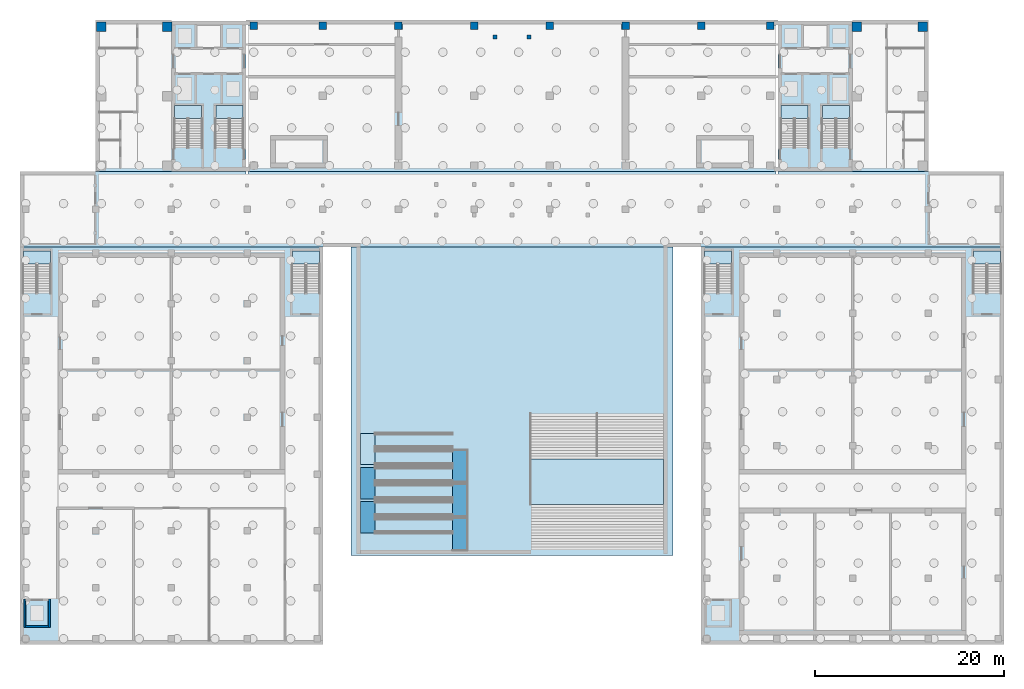
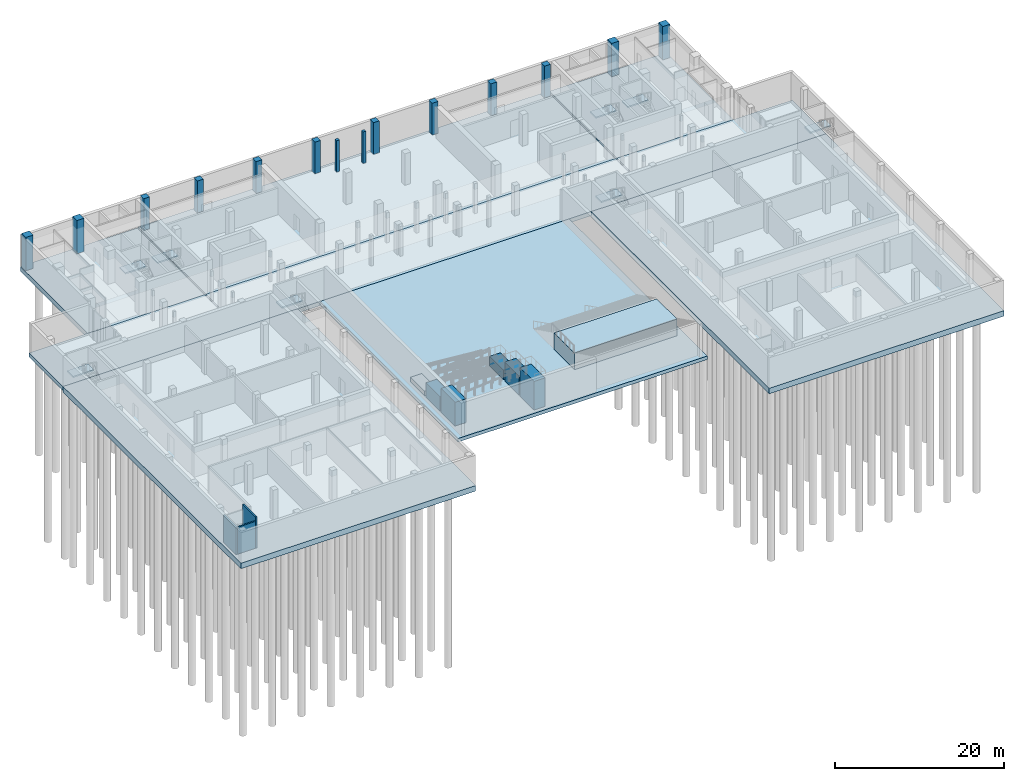
# One storey, part 5 of 21: 22 slabs, 14 columns, 3 walls, 9 elements without a shape of their own.
"""IFC4 building model written with IfcOpenShell, lengths in metres."""

from ifc_helpers import new_model, si_unit, direction, frame, frame_2d, origin, origin_2d, place, context, subcontext, project, spatial, polyline, rectangle, outline, extrude, material, layer, layer_set, material_profile, profile_set, type_object, element, aggregate, save


model = new_model("IFC4")

# Units and contexts
model_context = context("Model", 3, precision=1e-05, world=origin(), true_north=direction((0.0, 1.0)))
body_context = subcontext(model_context, "Body", "Model", "MODEL_VIEW")
ifc_project = project(units=[si_unit("LENGTHUNIT", "METRE"), si_unit("AREAUNIT", "SQUARE_METRE"), si_unit("VOLUMEUNIT", "CUBIC_METRE"), si_unit("PLANEANGLEUNIT", "RADIAN"), si_unit("MASSUNIT", "GRAM", prefix="KILO")], contexts=[model_context])

# Site, building, storey
site_placement = place(None, origin())
site = spatial("IfcSite", under=ifc_project, at=site_placement, CompositionType="ELEMENT")
building_placement = place(site_placement, origin())
building = spatial("IfcBuilding", under=site, at=building_placement, Name="Lantern Court Media Centre", CompositionType="ELEMENT")
storey_placement = place(building_placement, frame((0.0, 0.0, -4.800048828125)))
storey = spatial("IfcBuildingStorey", under=building, at=storey_placement, Name="B1", CompositionType="ELEMENT", Elevation=-4.800048828125)

# Columns
ifc_material_1 = material(Name="Concrete C35", Category="concrete")
ifc_material_profile_1 = material_profile(ifc_material_1, rectangle(XDim=0.39990234375, YDim=0.39990234375, at=origin_2d()), Name="RC 400x400")
ifc_profile_set_1 = profile_set([ifc_material_profile_1], Name="Concrete C35")
column_type_1 = type_object("IfcColumnType", Name="Entrance canopy post pedestal RC 400x400", PredefinedType="COLUMN", material=ifc_profile_set_1)
for number, where, z_axis, x_axis, name in (
    (1, (50.199951171875, 62.199951171875, 0.0), (0.0, 0.0, 1.0), (1.0, 0.0, 0.0), "Court bridge bearing pier 1 pedestal"),
    (2, (53.800048828125, 62.199951171875, 0.0), (0.0, 0.0, 1.0), (1.0, 0.0, 0.0), "Court bridge bearing pier 2 pedestal"),
):
    element("IfcColumn", number, at=place(storey_placement, frame(where, z_axis=z_axis, x_axis=x_axis)), inside=storey, type_object=column_type_1, Name=name, PredefinedType="COLUMN", context=body_context, shape_type="SweptSolid", body=[
        extrude(rectangle(XDim=0.39990234375, YDim=0.39990234375, at=origin_2d()), origin(), (0.0, 0.0, 1.0), 4.550048828125),
    ])
ifc_material_profile_2 = material_profile(ifc_material_1, rectangle(XDim=1.0, YDim=1.0, at=origin_2d()), Name="RC 1000x1000")
ifc_profile_set_2 = profile_set([ifc_material_profile_2], Name="Concrete C35")
column_type_2 = type_object("IfcColumnType", Name="RC COLUMN 1000x1000", PredefinedType="COLUMN", material=ifc_profile_set_2)
for number, where, z_axis, x_axis, name in (
    (3, (8.60009765625, 63.300048828125, 0.0), (0.0, 0.0, 1.0), (1.0, 0.0, 0.0), "C-SW-2-B1"),
    (4, (15.550048828125, 63.300048828125, 0.0), (0.0, 0.0, 1.0), (1.0, 0.0, 0.0), "C-SW-5-B1"),
    (5, (88.449951171875, 63.300048828125, 0.0), (0.0, 0.0, 1.0), (1.0, 0.0, 0.0), "C-SE-2-B1"),
    (6, (95.39990234375, 63.300048828125, 0.0), (0.0, 0.0, 1.0), (1.0, 0.0, 0.0), "C-SE-5-B1"),
):
    element("IfcColumn", number, at=place(storey_placement, frame(where, z_axis=z_axis, x_axis=x_axis)), inside=storey, type_object=column_type_2, Name=name, PredefinedType="COLUMN", context=body_context, shape_type="SweptSolid", body=[
        extrude(rectangle(XDim=1.0, YDim=1.0, at=origin_2d()), origin(), (0.0, 0.0, 1.0), 4.800048828125),
    ])
ifc_material_profile_3 = material_profile(ifc_material_1, rectangle(XDim=0.800048828125, YDim=0.800048828125, at=origin_2d()), Name="RC 800x800")
ifc_profile_set_3 = profile_set([ifc_material_profile_3], Name="Concrete C35")
column_type_3 = type_object("IfcColumnType", Name="RC COLUMN 800x800", PredefinedType="COLUMN", material=ifc_profile_set_3)
for number, where, z_axis, x_axis, name in (
    (7, (24.699951171875, 63.39990234375, 0.0), (0.0, 0.0, 1.0), (1.0, 0.0, 0.0), "C-S-2-0-B1"),
    (8, (32.0, 63.39990234375, 0.0), (0.0, 0.0, 1.0), (1.0, 0.0, 0.0), "C-S-2-1-B1"),
    (9, (40.0, 63.39990234375, 0.0), (0.0, 0.0, 1.0), (1.0, 0.0, 0.0), "C-S-2-2-B1"),
    (10, (48.0, 63.39990234375, 0.0), (0.0, 0.0, 1.0), (1.0, 0.0, 0.0), "C-S-2-3-B1"),
    (11, (56.0, 63.39990234375, 0.0), (0.0, 0.0, 1.0), (1.0, 0.0, 0.0), "C-S-2-4-B1"),
    (12, (64.0, 63.39990234375, 0.0), (0.0, 0.0, 1.0), (1.0, 0.0, 0.0), "C-S-2-5-B1"),
    (13, (72.0, 63.39990234375, 0.0), (0.0, 0.0, 1.0), (1.0, 0.0, 0.0), "C-S-2-6-B1"),
    (14, (79.300048828125, 63.39990234375, 0.0), (0.0, 0.0, 1.0), (1.0, 0.0, 0.0), "C-S-2-7-B1"),
):
    element("IfcColumn", number, at=place(storey_placement, frame(where, z_axis=z_axis, x_axis=x_axis)), inside=storey, type_object=column_type_3, Name=name, PredefinedType="COLUMN", context=body_context, shape_type="SweptSolid", body=[
        extrude(rectangle(XDim=0.800048828125, YDim=0.800048828125, at=origin_2d()), origin(), (0.0, 0.0, 1.0), 4.580078125),
    ])

# Stair, slab
ifc_material_2 = material(Name="Reinforced stone steps, Concrete C35", Category="masonry")
stair_type_1 = type_object("IfcStairType", Name="Forecourt amphitheatre steps", PredefinedType="NOTDEFINED", material=ifc_material_2)
stair_1_placement = place(storey_placement, origin())
stair_1 = element("IfcStair", 15, at=stair_1_placement, inside=storey, type_object=stair_type_1, Name="Forecourt amphitheatre steps", PredefinedType="NOTDEFINED")
ifc_layer_1 = layer(ifc_material_1, 0.25)
ifc_layer_set_1 = layer_set([ifc_layer_1], Name="Concrete C35")
slab_type_1 = type_object("IfcSlabType", Name="Forecourt landing", PredefinedType="LANDING", material=ifc_layer_set_1)
slab_1_placement = place(storey_placement, origin())
slab_1 = element("IfcSlab", 16, at=slab_1_placement, type_object=slab_type_1, Name="Forecourt steps landing", PredefinedType="LANDING", context=body_context, shape_type="SweptSolid", body=[
    extrude(outline(polyline([(54.0, 12.800048828125), (68.0, 12.800048828125), (68.0, 17.60009765625), (54.0, 17.60009765625), (54.0, 12.800048828125)])), origin(), (0.0, 0.0, 1.0), 2.400146484375),
])
aggregate(stair_1, [slab_1])

# Slabs
slab_2_placement = place(storey_placement, origin())
element("IfcSlab", 17, at=slab_2_placement, inside=storey, type_object=slab_type_1, Name="Ramp landing L1", PredefinedType="LANDING", context=body_context, shape_type="SweptSolid", body=[
    extrude(outline(polyline([(45.728515625, 8.0), (47.228515625, 8.0), (47.228515625, 11.300048828125), (45.728515625, 11.300048828125), (45.728515625, 8.0)])), origin(), (0.0, 0.0, 1.0), 4.1142578125),
])
slab_3_placement = place(storey_placement, origin())
element("IfcSlab", 18, at=slab_3_placement, inside=storey, type_object=slab_type_1, Name="Ramp landing L2", PredefinedType="LANDING", context=body_context, shape_type="SweptSolid", body=[
    extrude(outline(polyline([(36.0, 9.800048828125), (37.5, 9.800048828125), (37.5, 13.10009765625), (36.0, 13.10009765625), (36.0, 9.800048828125)])), origin(), (0.0, 0.0, 1.0), 3.4287109375),
])
slab_4_placement = place(storey_placement, origin())
element("IfcSlab", 19, at=slab_4_placement, inside=storey, type_object=slab_type_1, Name="Ramp landing L3", PredefinedType="LANDING", context=body_context, shape_type="SweptSolid", body=[
    extrude(outline(polyline([(45.728515625, 11.60009765625), (47.228515625, 11.60009765625), (47.228515625, 14.89990234375), (45.728515625, 14.89990234375), (45.728515625, 11.60009765625)])), origin(), (0.0, 0.0, 1.0), 2.742919921875),
])
slab_5_placement = place(storey_placement, origin())
element("IfcSlab", 20, at=slab_5_placement, inside=storey, type_object=slab_type_1, Name="Ramp landing L4", PredefinedType="LANDING", context=body_context, shape_type="SweptSolid", body=[
    extrude(outline(polyline([(36.0, 13.39990234375), (37.5, 13.39990234375), (37.5, 16.699951171875), (36.0, 16.699951171875), (36.0, 13.39990234375)])), origin(), (0.0, 0.0, 1.0), 2.05712890625),
])
slab_6_placement = place(storey_placement, origin())
element("IfcSlab", 21, at=slab_6_placement, inside=storey, type_object=slab_type_1, Name="Ramp landing L5", PredefinedType="LANDING", context=body_context, shape_type="SweptSolid", body=[
    extrude(outline(polyline([(45.728515625, 15.199951171875), (47.228515625, 15.199951171875), (47.228515625, 18.5), (45.728515625, 18.5), (45.728515625, 15.199951171875)])), origin(), (0.0, 0.0, 1.0), 1.371337890625),
])
slab_7_placement = place(storey_placement, origin())
element("IfcSlab", 22, at=slab_7_placement, inside=storey, type_object=slab_type_1, Name="Ramp landing L6", PredefinedType="LANDING", context=body_context, shape_type="SweptSolid", body=[
    extrude(outline(polyline([(36.0, 17.0), (37.5, 17.0), (37.5, 20.300048828125), (36.0, 20.300048828125), (36.0, 17.0)])), origin(), (0.0, 0.0, 1.0), 0.685791015625),
])
ifc_material_3 = material(Name="Concrete C30", Category="concrete")
ifc_layer_2 = layer(ifc_material_3, 0.5)
ifc_layer_set_2 = layer_set([ifc_layer_2], Name="Concrete C30")
slab_type_2 = type_object("IfcSlabType", Name="RC RAFT SLAB 500", PredefinedType="BASESLAB", material=ifc_layer_set_2)
slab_8_placement = place(storey_placement, frame((0.0, 0.0, -0.5)))
element("IfcSlab", 23, at=slab_8_placement, inside=storey, type_object=slab_type_2, Name="SL-FORECOURT-B1", PredefinedType="BASESLAB", context=body_context, shape_type="SweptSolid", body=[
    extrude(outline(polyline([(69.0, 7.39990234375), (69.0, 40.0), (35.0, 40.0), (35.0, 7.39990234375), (69.0, 7.39990234375)])), origin(), (0.0, 0.0, 1.0), 0.5),
])
ifc_layer_3 = layer(ifc_material_3, 0.60009765625)
ifc_layer_set_3 = layer_set([ifc_layer_3], Name="Concrete C30")
slab_type_3 = type_object("IfcSlabType", Name="RC RAFT SLAB 600", PredefinedType="BASESLAB", material=ifc_layer_set_3)
slab_9_placement = place(storey_placement, frame((0.0, 0.0, -0.599853515625)))
element("IfcSlab", 24, at=slab_9_placement, inside=storey, type_object=slab_type_3, Name="SL-B1-RAFT-3", PredefinedType="BASESLAB", context=body_context, shape_type="SweptSolid", body=[
    extrude(outline(polyline([(104.0, 48.0), (104.0, 40.0), (0.0, 40.0), (0.0, 48.0), (23.89990234375, 48.0), (23.89990234375, 45.0), (24.10009765625, 45.0), (24.10009765625, 48.0), (79.89990234375, 48.0), (79.89990234375, 45.0), (80.10009765625, 45.0), (80.10009765625, 48.0), (104.0, 48.0)])), origin(), (0.0, 0.0, 1.0), 0.599853515625),
])
ifc_layer_4 = layer(ifc_material_3, 0.699951171875)
ifc_layer_set_4 = layer_set([ifc_layer_4], Name="Concrete C30")
slab_type_4 = type_object("IfcSlabType", Name="RC RAFT SLAB 700", PredefinedType="BASESLAB", material=ifc_layer_set_4)
slab_10_placement = place(storey_placement, frame((0.0, 0.0, -0.699951171875)))
element("IfcSlab", 25, at=slab_10_placement, inside=storey, type_object=slab_type_4, Name="SL-B1-RAFT-4", PredefinedType="BASESLAB", context=body_context, shape_type="SweptSolid", body=[
    extrude(outline(polyline([(8.0, 48.0), (8.0, 63.89990234375), (23.89990234375, 63.89990234375), (23.89990234375, 48.0), (8.0, 48.0)])), origin(), (0.0, 0.0, 1.0), 0.699951171875),
])
slab_11_placement = place(storey_placement, frame((0.0, 0.0, -0.699951171875)))
element("IfcSlab", 26, at=slab_11_placement, inside=storey, type_object=slab_type_4, Name="SL-B1-RAFT-4-2", PredefinedType="BASESLAB", context=body_context, shape_type="SweptSolid", body=[
    extrude(outline(polyline([(79.89990234375, 64.0), (79.89990234375, 48.0), (24.10009765625, 48.0), (24.10009765625, 64.0), (79.89990234375, 64.0)])), origin(), (0.0, 0.0, 1.0), 0.699951171875),
])
slab_12_placement = place(storey_placement, frame((0.0, 0.0, -0.699951171875)))
element("IfcSlab", 27, at=slab_12_placement, inside=storey, type_object=slab_type_4, Name="SL-B1-RAFT-4-3", PredefinedType="BASESLAB", context=body_context, shape_type="SweptSolid", body=[
    extrude(outline(polyline([(96.0, 48.0), (80.10009765625, 48.0), (80.10009765625, 63.89990234375), (96.0, 63.89990234375), (96.0, 48.0)])), origin(), (0.0, 0.0, 1.0), 0.699951171875),
])
ifc_layer_5 = layer(ifc_material_3, 0.800048828125)
ifc_layer_set_5 = layer_set([ifc_layer_5], Name="Concrete C30")
slab_type_5 = type_object("IfcSlabType", Name="RC RAFT SLAB 800", PredefinedType="BASESLAB", material=ifc_layer_set_5)
slab_13_placement = place(storey_placement, frame((0.0, 0.0, -0.800048828125)))
element("IfcSlab", 28, at=slab_13_placement, inside=storey, type_object=slab_type_5, Name="SL-B1-RAFT-1", PredefinedType="BASESLAB", context=body_context, shape_type="SweptSolid", body=[
    extrude(outline(polyline([(0.0, -2.0), (0.0, 40.0), (32.0, 40.0), (32.0, -2.0), (0.0, -2.0)])), origin(), (0.0, 0.0, 1.0), 0.800048828125),
])
slab_14_placement = place(storey_placement, frame((0.0, 0.0, -0.800048828125)))
element("IfcSlab", 29, at=slab_14_placement, inside=storey, type_object=slab_type_5, Name="SL-B1-RAFT-2", PredefinedType="BASESLAB", context=body_context, shape_type="SweptSolid", body=[
    extrude(outline(polyline([(72.0, -2.0), (72.0, 40.0), (104.0, 40.0), (104.0, -2.0), (72.0, -2.0)])), origin(), (0.0, 0.0, 1.0), 0.800048828125),
])

# Stair, slab
ifc_material_4 = material(Name="Concrete C40", Category="concrete")
stair_type_2 = type_object("IfcStairType", Name="Exit stair 1350", PredefinedType="HALF_TURN_STAIR", material=ifc_material_4)
stair_2_placement = place(storey_placement, origin())
stair_2 = element("IfcStair", 30, at=stair_2_placement, inside=storey, type_object=stair_type_2, Name="B1 SW exit stair A", PredefinedType="HALF_TURN_STAIR")
ifc_layer_6 = layer(ifc_material_4, 0.199951171875)
ifc_layer_set_6 = layer_set([ifc_layer_6], Name="Concrete C40")
slab_type_6 = type_object("IfcSlabType", Name="Stair landing RC 200", PredefinedType="LANDING", material=ifc_layer_set_6)
slab_15_placement = place(storey_placement, frame((0.0, 0.0, 2.199951171875)))
slab_15 = element("IfcSlab", 31, at=slab_15_placement, type_object=slab_type_6, Name="ST-SWA landing 1", PredefinedType="LANDING", context=body_context, shape_type="SweptSolid", body=[
    extrude(outline(polyline([(19.199951171875, 53.570068359375), (19.199951171875, 54.949951171875), (16.35009765625, 54.949951171875), (16.35009765625, 53.570068359375), (19.199951171875, 53.570068359375)])), origin(), (0.0, 0.0, 1.0), 0.2001953125),
])
aggregate(stair_2, [slab_15])

stair_3_placement = place(storey_placement, origin())
stair_3 = element("IfcStair", 32, at=stair_3_placement, inside=storey, type_object=stair_type_2, Name="B1 SW exit stair B", PredefinedType="HALF_TURN_STAIR")
slab_16_placement = place(storey_placement, frame((0.0, 0.0, 2.199951171875)))
slab_16 = element("IfcSlab", 33, at=slab_16_placement, type_object=slab_type_6, Name="ST-SWB landing 1", PredefinedType="LANDING", context=body_context, shape_type="SweptSolid", body=[
    extrude(outline(polyline([(23.550048828125, 53.570068359375), (23.550048828125, 54.949951171875), (20.699951171875, 54.949951171875), (20.699951171875, 53.570068359375), (23.550048828125, 53.570068359375)])), origin(), (0.0, 0.0, 1.0), 0.2001953125),
])
aggregate(stair_3, [slab_16])

stair_4_placement = place(storey_placement, origin())
stair_4 = element("IfcStair", 34, at=stair_4_placement, inside=storey, type_object=stair_type_2, Name="B1 SE exit stair A", PredefinedType="HALF_TURN_STAIR")
slab_17_placement = place(storey_placement, frame((0.0, 0.0, 2.199951171875)))
slab_17 = element("IfcSlab", 35, at=slab_17_placement, type_object=slab_type_6, Name="ST-SEA landing 1", PredefinedType="LANDING", context=body_context, shape_type="SweptSolid", body=[
    extrude(outline(polyline([(87.64990234375, 53.570068359375), (87.64990234375, 54.949951171875), (84.800048828125, 54.949951171875), (84.800048828125, 53.570068359375), (87.64990234375, 53.570068359375)])), origin(), (0.0, 0.0, 1.0), 0.2001953125),
])
aggregate(stair_4, [slab_17])

stair_5_placement = place(storey_placement, origin())
stair_5 = element("IfcStair", 36, at=stair_5_placement, inside=storey, type_object=stair_type_2, Name="B1 SE exit stair B", PredefinedType="HALF_TURN_STAIR")
slab_18_placement = place(storey_placement, frame((0.0, 0.0, 2.199951171875)))
slab_18 = element("IfcSlab", 37, at=slab_18_placement, type_object=slab_type_6, Name="ST-SEB landing 1", PredefinedType="LANDING", context=body_context, shape_type="SweptSolid", body=[
    extrude(outline(polyline([(83.300048828125, 53.570068359375), (83.300048828125, 54.949951171875), (80.449951171875, 54.949951171875), (80.449951171875, 53.570068359375), (83.300048828125, 53.570068359375)])), origin(), (0.0, 0.0, 1.0), 0.2001953125),
])
aggregate(stair_5, [slab_18])

stair_6_placement = place(storey_placement, origin())
stair_6 = element("IfcStair", 38, at=stair_6_placement, inside=storey, type_object=stair_type_2, Name="B1 V1-ST-W exit stair", PredefinedType="HALF_TURN_STAIR")
slab_19_placement = place(storey_placement, frame((0.0, 0.0, 2.199951171875)))
slab_19 = element("IfcSlab", 39, at=slab_19_placement, type_object=slab_type_6, Name="ST-V1-ST-W landing 1", PredefinedType="LANDING", context=body_context, shape_type="SweptSolid", body=[
    extrude(outline(polyline([(3.199951171875, 38.219970703125), (3.199951171875, 39.60009765625), (0.35009765625, 39.60009765625), (0.35009765625, 38.219970703125), (3.199951171875, 38.219970703125)])), origin(), (0.0, 0.0, 1.0), 0.2001953125),
])
aggregate(stair_6, [slab_19])

stair_7_placement = place(storey_placement, origin())
stair_7 = element("IfcStair", 40, at=stair_7_placement, inside=storey, type_object=stair_type_2, Name="B1 V1-ST-E exit stair", PredefinedType="HALF_TURN_STAIR")
slab_20_placement = place(storey_placement, frame((0.0, 0.0, 2.199951171875)))
slab_20 = element("IfcSlab", 41, at=slab_20_placement, type_object=slab_type_6, Name="ST-V1-ST-E landing 1", PredefinedType="LANDING", context=body_context, shape_type="SweptSolid", body=[
    extrude(outline(polyline([(31.64990234375, 38.219970703125), (31.64990234375, 39.60009765625), (28.800048828125, 39.60009765625), (28.800048828125, 38.219970703125), (31.64990234375, 38.219970703125)])), origin(), (0.0, 0.0, 1.0), 0.2001953125),
])
aggregate(stair_7, [slab_20])

stair_8_placement = place(storey_placement, origin())
stair_8 = element("IfcStair", 42, at=stair_8_placement, inside=storey, type_object=stair_type_2, Name="B1 V2-ST-W exit stair", PredefinedType="HALF_TURN_STAIR")
slab_21_placement = place(storey_placement, frame((0.0, 0.0, 2.199951171875)))
slab_21 = element("IfcSlab", 43, at=slab_21_placement, type_object=slab_type_6, Name="ST-V2-ST-W landing 1", PredefinedType="LANDING", context=body_context, shape_type="SweptSolid", body=[
    extrude(outline(polyline([(75.199951171875, 38.219970703125), (75.199951171875, 39.60009765625), (72.35009765625, 39.60009765625), (72.35009765625, 38.219970703125), (75.199951171875, 38.219970703125)])), origin(), (0.0, 0.0, 1.0), 0.2001953125),
])
aggregate(stair_8, [slab_21])

stair_9_placement = place(storey_placement, origin())
stair_9 = element("IfcStair", 44, at=stair_9_placement, inside=storey, type_object=stair_type_2, Name="B1 V2-ST-E exit stair", PredefinedType="HALF_TURN_STAIR")
slab_22_placement = place(storey_placement, frame((0.0, 0.0, 2.199951171875)))
slab_22 = element("IfcSlab", 45, at=slab_22_placement, type_object=slab_type_6, Name="ST-V2-ST-E landing 1", PredefinedType="LANDING", context=body_context, shape_type="SweptSolid", body=[
    extrude(outline(polyline([(103.64990234375, 38.219970703125), (103.64990234375, 39.60009765625), (100.800048828125, 39.60009765625), (100.800048828125, 38.219970703125), (103.64990234375, 38.219970703125)])), origin(), (0.0, 0.0, 1.0), 0.2001953125),
])
aggregate(stair_9, [slab_22])

# Walls
ifc_layer_7 = layer(ifc_material_4, 0.199951171875)
ifc_layer_set_7 = layer_set([ifc_layer_7], Name="Concrete C40")
wall_type = type_object("IfcWallType", Name="RC lift shaft wall 200", PredefinedType="SOLIDWALL", material=ifc_layer_set_7)
wall_1_placement = place(storey_placement, frame((0.5, -0.199951171875, 0.0), z_axis=(0.0, 0.0, 1.0), x_axis=(0.0, 1.0, 0.0)))
element("IfcWall", 46, at=wall_1_placement, inside=storey, type_object=wall_type, Name="B1 V1-LIFT shaft wall W", PredefinedType="SOLIDWALL", context=body_context, shape_type="SweptSolid", body=[
    extrude(rectangle(XDim=3.0, YDim=0.199951171875, at=frame_2d((1.5, 0.0))), origin(), (0.0, 0.0, 1.0), 3.880126953125),
])
wall_2_placement = place(storey_placement, frame((3.10009765625, -0.199951171875, 0.0), z_axis=(0.0, 0.0, 1.0), x_axis=(0.0, 1.0, 0.0)))
element("IfcWall", 47, at=wall_2_placement, inside=storey, type_object=wall_type, Name="B1 V1-LIFT shaft wall E", PredefinedType="SOLIDWALL", context=body_context, shape_type="SweptSolid", body=[
    extrude(rectangle(XDim=3.0, YDim=0.199951171875, at=frame_2d((1.5, 0.0))), origin(), (0.0, 0.0, 1.0), 4.550048828125),
])
wall_3_placement = place(storey_placement, frame((0.60009765625, -0.10009765625, 0.0), z_axis=(0.0, 0.0, 1.0), x_axis=(1.0, 0.0, 0.0)))
element("IfcWall", 48, at=wall_3_placement, inside=storey, type_object=wall_type, Name="B1 V1-LIFT shaft wall S", PredefinedType="SOLIDWALL", context=body_context, shape_type="SweptSolid", body=[
    extrude(rectangle(XDim=2.39990234375, YDim=0.199951171875, at=frame_2d((1.199951171875, 0.0))), origin(), (0.0, 0.0, 1.0), 3.880126953125),
])

save(model, "model.ifc")
